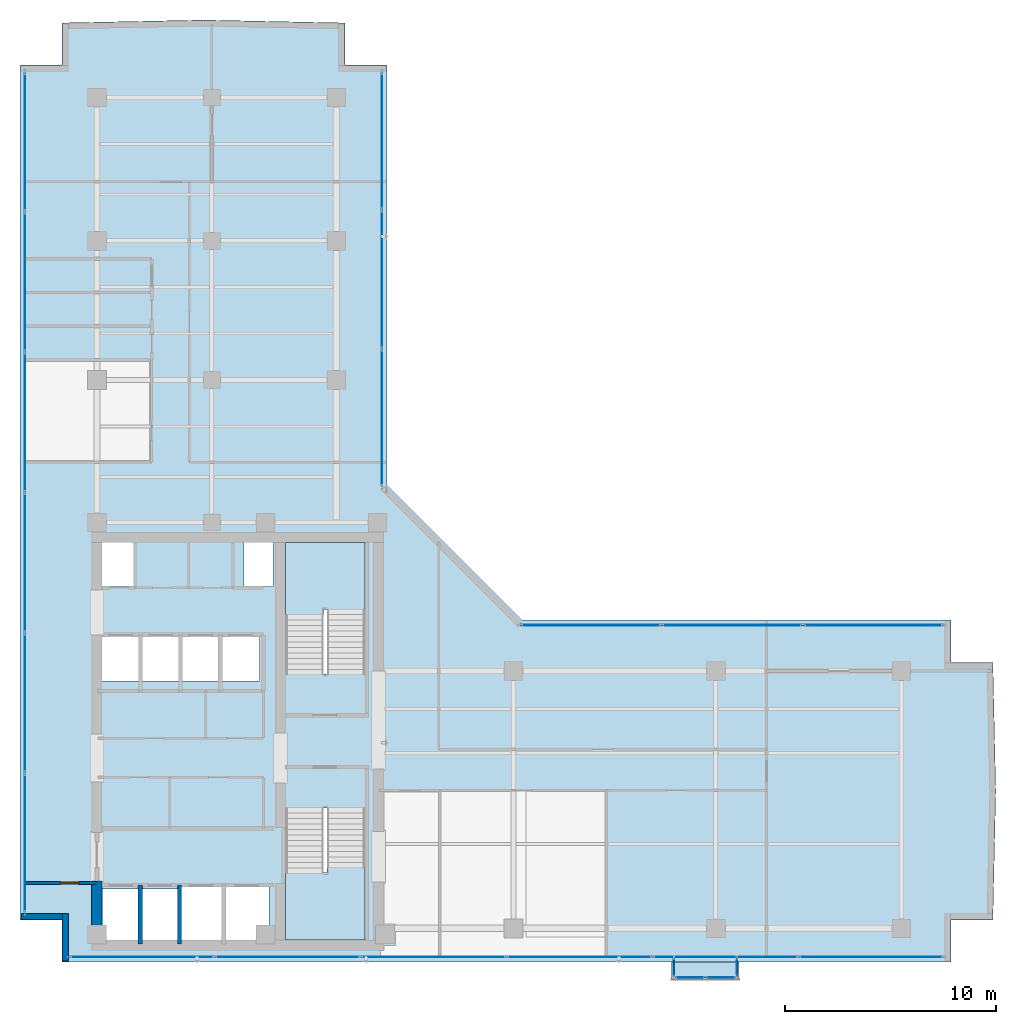
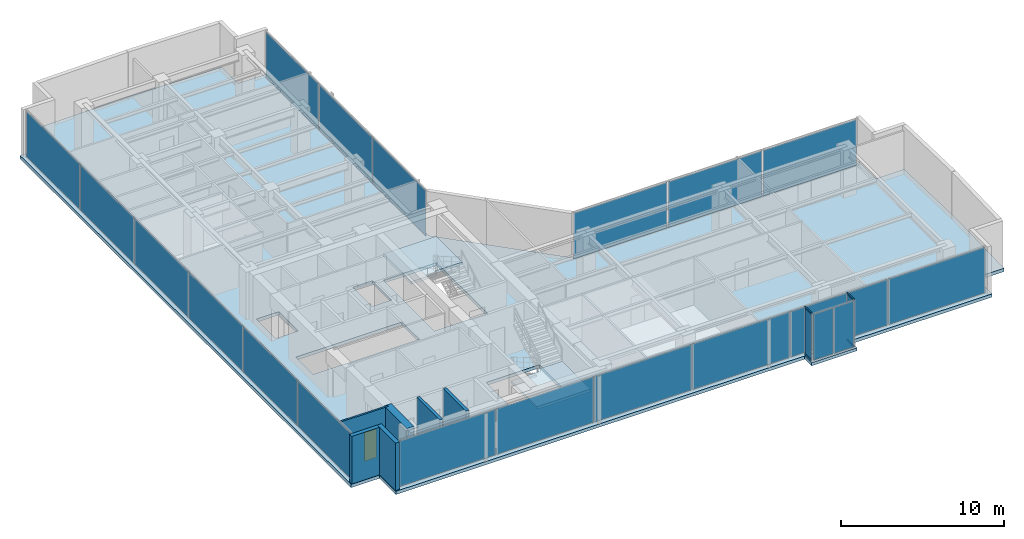
# One storey, part 16 of 24: 22 plates, 6 walls, 4 members, 4 slabs, 1 door, 1 opening, 9 elements without a shape of their own.
"""IFC4 building model written with IfcOpenShell, lengths in metres."""

from ifc_helpers import new_model, si_unit, direction, frame, frame_2d, origin, origin_with_axes, origin_2d, place, context, subcontext, project, spatial, polyline, rectangle, hollow_rectangle, outline, extrude, source, transform, mapped, material, layer, layer_set, material_profile, profile_set, type_object, element, fill, aggregate, save


model = new_model("IFC4")

# Units and contexts
model_context = context("Model", 3, precision=1e-05, world=origin(), true_north=direction((0.0, 1.0)))
body_context = subcontext(model_context, "Body", "Model", "MODEL_VIEW")
ifc_project = project(units=[si_unit("LENGTHUNIT", "METRE"), si_unit("AREAUNIT", "SQUARE_METRE"), si_unit("VOLUMEUNIT", "CUBIC_METRE"), si_unit("PLANEANGLEUNIT", "RADIAN"), si_unit("MASSUNIT", "GRAM", prefix="KILO")], contexts=[model_context])

# Site, building, storey
site_placement = place(None, origin())
site = spatial("IfcSite", under=ifc_project, at=site_placement, CompositionType="ELEMENT")
building_placement = place(site_placement, origin())
building = spatial("IfcBuilding", under=site, at=building_placement, Name="Kolvaren Waterfront Exchange", CompositionType="ELEMENT")
storey_placement = place(building_placement, frame((0.0, 0.0, 331.199951171875)))
storey = spatial("IfcBuildingStorey", under=building, at=storey_placement, Name="L85", CompositionType="ELEMENT", Elevation=331.199951171875)

# Curtain wall, members
ifc_material_1 = material(Name="Anodised bronze aluminium 6063-T6", Category="aluminium")
ifc_layer_1 = layer(ifc_material_1, 0.219970703125, Name="Anodised bronze aluminium 6063-T6")
ifc_layer_set_1 = layer_set([ifc_layer_1], Name="Anodised bronze aluminium 6063-T6")
curtain_wall_type_1 = type_object("IfcCurtainWallType", Name="ARC-CW-SYS3", PredefinedType="USERDEFINED", material=ifc_layer_set_1)
curtain_wall_1_placement = place(storey_placement, origin())
curtain_wall_1 = element("IfcCurtainWall", 1, at=curtain_wall_1_placement, inside=storey, type_object=curtain_wall_type_1, Name="L85 stick curtain wall CW3 (CW-L85-BOX-W)", ObjectType="STICK CURTAIN WALL", PredefinedType="USERDEFINED")
ifc_material_profile = material_profile(ifc_material_1, hollow_rectangle(XDim=0.06494140625, YDim=0.1298828125, WallThickness=0.00390625, at=origin_2d()), Name="ALU-TRN-130x65x4")
ifc_profile_set = profile_set([ifc_material_profile], Name="Anodised bronze aluminium 6063-T6")
member_type = type_object("IfcMemberType", Name="ARC-CWT-130", PredefinedType="USERDEFINED", material=ifc_profile_set)
shared_shape_1 = source(origin_with_axes(), body_context, "Body", "SweptSolid", [
    extrude(hollow_rectangle(XDim=0.06494140625, YDim=0.1298828125, WallThickness=0.00390625, at=origin_2d()), origin(), (0.0, 0.0, 1.0), 0.829833984375),
])
member_1_placement = place(storey_placement, frame((34.81005859375, 3.764892578125, 0.032470703125), z_axis=(0.0, -1.0, 0.0), x_axis=(1.0, 0.0, 0.0)))
member_1 = element("IfcMember", 2, at=member_1_placement, type_object=member_type, Name="CW3 transom 1.1", ObjectType="TRANSOM", PredefinedType="USERDEFINED", context=body_context, shape_type="MappedRepresentation", body=[
    mapped(shared_shape_1, transform((0.0, 0.0, 0.0), x_axis=(1.0, 0.0, 0.0), y_axis=(0.0, 1.0, 0.0), z_axis=(0.0, 0.0, 1.0), scale=1.0)),
])
member_2_placement = place(storey_placement, frame((34.81005859375, 3.764892578125, 3.527587890625), z_axis=(0.0, -1.0, 0.0), x_axis=(1.0, 0.0, 0.0)))
member_2 = element("IfcMember", 3, at=member_2_placement, type_object=member_type, Name="CW3 transom 1.2", ObjectType="TRANSOM", PredefinedType="USERDEFINED", context=body_context, shape_type="MappedRepresentation", body=[
    mapped(shared_shape_1, transform((0.0, 0.0, 0.0), x_axis=(1.0, 0.0, 0.0), y_axis=(0.0, 1.0, 0.0), z_axis=(0.0, 0.0, 1.0), scale=1.0)),
])

curtain_wall_2_placement = place(storey_placement, origin())
curtain_wall_2 = element("IfcCurtainWall", 4, at=curtain_wall_2_placement, inside=storey, type_object=curtain_wall_type_1, Name="L85 stick curtain wall CW3 (CW-L85-BOX-E)", ObjectType="STICK CURTAIN WALL", PredefinedType="USERDEFINED")
member_3_placement = place(storey_placement, frame((37.7900390625, 2.93505859375, 0.032470703125), z_axis=(0.0, 1.0, 0.0), x_axis=(-1.0, 0.0, 0.0)))
member_3 = element("IfcMember", 5, at=member_3_placement, type_object=member_type, Name="CW3 transom 1.1", ObjectType="TRANSOM", PredefinedType="USERDEFINED", context=body_context, shape_type="MappedRepresentation", body=[
    mapped(shared_shape_1, transform((0.0, 0.0, 0.0), x_axis=(1.0, 0.0, 0.0), y_axis=(0.0, 1.0, 0.0), z_axis=(0.0, 0.0, 1.0), scale=1.0)),
])
member_4_placement = place(storey_placement, frame((37.7900390625, 2.93505859375, 3.527587890625), z_axis=(0.0, 1.0, 0.0), x_axis=(-1.0, 0.0, 0.0)))
member_4 = element("IfcMember", 6, at=member_4_placement, type_object=member_type, Name="CW3 transom 1.2", ObjectType="TRANSOM", PredefinedType="USERDEFINED", context=body_context, shape_type="MappedRepresentation", body=[
    mapped(shared_shape_1, transform((0.0, 0.0, 0.0), x_axis=(1.0, 0.0, 0.0), y_axis=(0.0, 1.0, 0.0), z_axis=(0.0, 0.0, 1.0), scale=1.0)),
])

# Stair, slab
ifc_material_2 = material(Name="Concrete C40/50", Category="concrete")
stair_type = type_object("IfcStairType", Name="ARC-STAIR-3800", PredefinedType="HALF_TURN_STAIR", material=ifc_material_2)
stair_1_placement = place(storey_placement, origin())
stair_1 = element("IfcStair", 7, at=stair_1_placement, inside=storey, type_object=stair_type, Name="L85 Smoke-proof exit stair ST1", PredefinedType="HALF_TURN_STAIR")
ifc_layer_2 = layer(ifc_material_2, 0.199951171875, Name="Concrete C40/50")
ifc_layer_set_2 = layer_set([ifc_layer_2], Name="Concrete C40/50")
slab_type_1 = type_object("IfcSlabType", Name="STR-LANDING-200", PredefinedType="LANDING", material=ifc_layer_set_2)
slab_1_placement = place(storey_placement, frame((0.0, 0.0, 1.776123046875)))
slab_1 = element("IfcSlab", 8, at=slab_1_placement, type_object=slab_type_1, Name="ST1 landing 1", PredefinedType="LANDING", context=body_context, shape_type="SweptSolid", body=[
    extrude(outline(polyline([(16.39990234375, 7.840087890625), (16.39990234375, 4.64990234375), (20.159912109375, 4.64990234375), (20.159912109375, 8.10009765625), (18.360107421875, 8.10009765625), (18.360107421875, 7.840087890625), (16.39990234375, 7.840087890625)])), origin(), (0.0, 0.0, 1.0), 0.199951171875),
])
aggregate(stair_1, [slab_1])

stair_2_placement = place(storey_placement, origin())
stair_2 = element("IfcStair", 9, at=stair_2_placement, inside=storey, type_object=stair_type, Name="L85 Smoke-proof exit stair ST2", PredefinedType="HALF_TURN_STAIR")
slab_2_placement = place(storey_placement, frame((0.0, 0.0, 1.776123046875)))
slab_2 = element("IfcSlab", 10, at=slab_2_placement, type_object=slab_type_1, Name="ST2 landing 1", PredefinedType="LANDING", context=body_context, shape_type="SweptSolid", body=[
    extrude(outline(polyline([(20.159912109375, 20.31005859375), (20.159912109375, 23.5), (16.39990234375, 23.5), (16.39990234375, 20.050048828125), (18.199951171875, 20.050048828125), (18.199951171875, 20.31005859375), (20.159912109375, 20.31005859375)])), origin(), (0.0, 0.0, 1.0), 0.199951171875),
])
aggregate(stair_2, [slab_2])

# Slabs
ifc_layer_3 = layer(ifc_material_2, 0.239990234375, Name="Concrete C40/50")
ifc_layer_set_3 = layer_set([ifc_layer_3], Name="Concrete C40/50")
slab_type_2 = type_object("IfcSlabType", Name="STR-SLAB-240", PredefinedType="FLOOR", material=ifc_layer_set_3)
slab_3_placement = place(storey_placement, frame((0.0, 0.0, -0.239990234375)))
element("IfcSlab", 11, at=slab_3_placement, inside=storey, type_object=slab_type_2, Name="L85 structural floor slab", PredefinedType="FLOOR", context=body_context, shape_type="SweptSolid", body=[
    extrude(outline(polyline([(5.800048828125, 3.60009765625), (47.936767578125, 3.60009765625), (47.936767578125, 5.60009765625), (49.936767578125, 5.60009765625), (50.073486328125, 11.705078125), (49.936767578125, 17.810546875), (47.936767578125, 17.810546875), (47.936767578125, 19.810546875), (27.610595703125, 19.810546875), (21.21044921875, 26.21044921875), (21.21044921875, 46.13671875), (19.21044921875, 46.13671875), (19.21044921875, 48.13671875), (12.50537109375, 48.273681640625), (5.800048828125, 48.13671875), (5.800048828125, 46.13671875), (3.800048828125, 46.13671875), (3.800048828125, 5.60009765625), (5.800048828125, 5.60009765625), (5.800048828125, 3.60009765625)]), holes=[polyline([(11.320068359375, 7.260009765625), (15.610107421875, 7.260009765625), (15.610107421875, 4.5400390625), (7.719970703125, 4.5400390625), (7.719970703125, 7.06005859375), (11.320068359375, 7.06005859375), (11.320068359375, 7.260009765625)]), polyline([(20.159912109375, 10.89990234375), (20.159912109375, 4.64990234375), (16.39990234375, 4.64990234375), (16.39990234375, 10.89990234375), (20.159912109375, 10.89990234375)]), polyline([(7.669921875, 19.06005859375), (15.159912109375, 19.06005859375), (15.159912109375, 16.93994140625), (7.669921875, 16.93994140625), (7.669921875, 19.06005859375)]), polyline([(16.39990234375, 17.25), (16.39990234375, 23.5), (20.159912109375, 23.5), (20.159912109375, 17.25), (16.39990234375, 17.25)]), polyline([(7.60009765625, 23.780029296875), (9.179931640625, 23.780029296875), (9.179931640625, 21.419921875), (7.60009765625, 21.419921875), (7.60009765625, 23.780029296875)]), polyline([(14.419921875, 23.780029296875), (15.800048828125, 23.780029296875), (15.800048828125, 21.419921875), (14.419921875, 21.419921875), (14.419921875, 23.780029296875)])]), origin(), (0.0, 0.0, 1.0), 0.239990234375),
])
ifc_layer_4 = layer(ifc_material_2, 0.219970703125, Name="Concrete C40/50")
ifc_layer_set_4 = layer_set([ifc_layer_4], Name="Concrete C40/50")
slab_type_3 = type_object("IfcSlabType", Name="STR-TERR-220", PredefinedType="FLOOR", material=ifc_layer_set_4)
slab_4_placement = place(storey_placement, frame((0.0, 0.0, -0.219970703125)))
element("IfcSlab", 12, at=slab_4_placement, inside=storey, type_object=slab_type_3, Name="L85 projecting bay-box floor strip", PredefinedType="FLOOR", context=body_context, shape_type="SweptSolid", body=[
    extrude(outline(polyline([(34.699951171875, 2.75), (37.89990234375, 2.75), (37.89990234375, 3.60009765625), (34.699951171875, 3.60009765625), (34.699951171875, 2.75)])), origin(), (0.0, 0.0, 1.0), 0.219970703125),
])

# Plate
ifc_material_3 = material(Name="Bronze tinted bay-box vision glass", Category="aluminium")
ifc_layer_5 = layer(ifc_material_3, 0.02392578125, Name="Bronze tinted bay-box vision glass")
ifc_layer_set_5 = layer_set([ifc_layer_5], Name="Bronze tinted bay-box vision glass")
plate_type_1 = type_object("IfcPlateType", Name="ARC-CWP-24", PredefinedType="CURTAIN_PANEL", material=ifc_layer_set_5)
shared_shape_2 = source(origin_with_axes(), body_context, "Body", "SweptSolid", [
    extrude(rectangle(XDim=0.830078125, YDim=0.02392578125, at=origin_2d()), origin(), (0.0, 0.0, 1.0), 3.429931640625),
])
plate_1_placement = place(storey_placement, frame((34.81005859375, 3.35009765625, 0.06494140625), z_axis=(0.0, 0.0, 1.0), x_axis=(0.0, -1.0, 0.0)))
plate_1 = element("IfcPlate", 13, at=plate_1_placement, type_object=plate_type_1, Name="CW3 panel 1.1", PredefinedType="CURTAIN_PANEL", context=body_context, shape_type="MappedRepresentation", body=[
    mapped(shared_shape_2, transform((0.0, 0.0, 0.0), x_axis=(1.0, 0.0, 0.0), y_axis=(0.0, 1.0, 0.0), z_axis=(0.0, 0.0, 1.0), scale=1.0)),
])

aggregate(curtain_wall_1, [member_1, member_2, plate_1])

plate_2_placement = place(storey_placement, frame((37.7900390625, 3.35009765625, 0.06494140625), z_axis=(0.0, 0.0, 1.0), x_axis=(0.0, 1.0, 0.0)))
plate_2 = element("IfcPlate", 14, at=plate_2_placement, type_object=plate_type_1, Name="CW3 panel 1.1", PredefinedType="CURTAIN_PANEL", context=body_context, shape_type="MappedRepresentation", body=[
    mapped(shared_shape_2, transform((0.0, 0.0, 0.0), x_axis=(1.0, 0.0, 0.0), y_axis=(0.0, 1.0, 0.0), z_axis=(0.0, 0.0, 1.0), scale=1.0)),
])

aggregate(curtain_wall_2, [member_3, member_4, plate_2])

# Curtain wall, plates
curtain_wall_3_placement = place(storey_placement, origin())
curtain_wall_3 = element("IfcCurtainWall", 15, at=curtain_wall_3_placement, inside=storey, type_object=curtain_wall_type_1, Name="L85 stick curtain wall CW3 (CW-L85-BOX)", ObjectType="STICK CURTAIN WALL", PredefinedType="USERDEFINED")
shared_shape_3 = source(origin_with_axes(), body_context, "Body", "SweptSolid", [
    extrude(rectangle(XDim=1.37744140625, YDim=0.02392578125, at=origin_2d()), origin(), (0.0, 0.0, 1.0), 3.429931640625),
])
plate_3_placement = place(storey_placement, frame((35.57373046875, 2.860107421875, 0.06494140625), z_axis=(0.0, 0.0, 1.0), x_axis=(1.0, 0.0, 0.0)))
plate_3 = element("IfcPlate", 16, at=plate_3_placement, type_object=plate_type_1, Name="CW3 panel 1.1", PredefinedType="CURTAIN_PANEL", context=body_context, shape_type="MappedRepresentation", body=[
    mapped(shared_shape_3, transform((0.0, 0.0, 0.0), x_axis=(1.0, 0.0, 0.0), y_axis=(0.0, 1.0, 0.0), z_axis=(0.0, 0.0, 1.0), scale=1.0)),
])
plate_4_placement = place(storey_placement, frame((37.0263671875, 2.860107421875, 0.06494140625), z_axis=(0.0, 0.0, 1.0), x_axis=(1.0, 0.0, 0.0)))
plate_4 = element("IfcPlate", 17, at=plate_4_placement, type_object=plate_type_1, Name="CW3 panel 2.1", PredefinedType="CURTAIN_PANEL", context=body_context, shape_type="MappedRepresentation", body=[
    mapped(shared_shape_3, transform((0.0, 0.0, 0.0), x_axis=(1.0, 0.0, 0.0), y_axis=(0.0, 1.0, 0.0), z_axis=(0.0, 0.0, 1.0), scale=1.0)),
])
aggregate(curtain_wall_3, [plate_3, plate_4])

ifc_layer_6 = layer(ifc_material_1, 0.219970703125, Name="Anodised bronze aluminium 6063-T6")
ifc_layer_set_6 = layer_set([ifc_layer_6], Name="Anodised bronze aluminium 6063-T6")
curtain_wall_type_2 = type_object("IfcCurtainWallType", Name="ARC-CW-SYS1", PredefinedType="USERDEFINED", material=ifc_layer_set_6)
curtain_wall_4_placement = place(storey_placement, origin())
curtain_wall_4 = element("IfcCurtainWall", 18, at=curtain_wall_4_placement, inside=storey, type_object=curtain_wall_type_2, Name="L85 stick curtain wall CW1 (CW-L85-S)", ObjectType="STICK CURTAIN WALL", PredefinedType="USERDEFINED")
ifc_material_4 = material(Name="Bronze solar control vision glass", Category="aluminium")
ifc_layer_7 = layer(ifc_material_4, 0.028076171875, Name="Bronze solar control vision glass")
ifc_layer_set_7 = layer_set([ifc_layer_7], Name="Bronze solar control vision glass")
plate_type_2 = type_object("IfcPlateType", Name="ARC-CWP-28", PredefinedType="CURTAIN_PANEL", material=ifc_layer_set_7)
shared_shape_4 = source(origin_with_axes(), body_context, "Body", "SweptSolid", [
    extrude(rectangle(XDim=6.802734375, YDim=0.028076171875, at=origin_2d()), origin(), (0.0, 0.0, 1.0), 3.409912109375),
])
plate_5_placement = place(storey_placement, frame((9.581298828125, 3.840087890625, 0.0751953125), z_axis=(0.0, 0.0, 1.0), x_axis=(1.0, 0.0, 0.0)))
plate_5 = element("IfcPlate", 19, at=plate_5_placement, type_object=plate_type_2, Name="CW1 panel 1.1", PredefinedType="CURTAIN_PANEL", context=body_context, shape_type="MappedRepresentation", body=[
    mapped(shared_shape_4, transform((0.0, 0.0, 0.0), x_axis=(1.0, 0.0, 0.0), y_axis=(0.0, 1.0, 0.0), z_axis=(0.0, 0.0, 1.0), scale=1.0)),
])
plate_6_placement = place(storey_placement, frame((44.155517578125, 3.840087890625, 0.0751953125), z_axis=(0.0, 0.0, 1.0), x_axis=(1.0, 0.0, 0.0)))
plate_6 = element("IfcPlate", 20, at=plate_6_placement, type_object=plate_type_2, Name="CW1 panel 6.1", PredefinedType="CURTAIN_PANEL", context=body_context, shape_type="MappedRepresentation", body=[
    mapped(shared_shape_4, transform((0.0, 0.0, 0.0), x_axis=(1.0, 0.0, 0.0), y_axis=(0.0, 1.0, 0.0), z_axis=(0.0, 0.0, 1.0), scale=1.0)),
])
shared_shape_5 = source(origin_with_axes(), body_context, "Body", "SweptSolid", [
    extrude(rectangle(XDim=6.8427734375, YDim=0.028076171875, at=origin_2d()), origin(), (0.0, 0.0, 1.0), 3.409912109375),
])
plate_7_placement = place(storey_placement, frame((16.484130859375, 3.840087890625, 0.0751953125), z_axis=(0.0, 0.0, 1.0), x_axis=(1.0, 0.0, 0.0)))
plate_7 = element("IfcPlate", 21, at=plate_7_placement, type_object=plate_type_2, Name="CW1 panel 2.1", PredefinedType="CURTAIN_PANEL", context=body_context, shape_type="MappedRepresentation", body=[
    mapped(shared_shape_5, transform((0.0, 0.0, 0.0), x_axis=(1.0, 0.0, 0.0), y_axis=(0.0, 1.0, 0.0), z_axis=(0.0, 0.0, 1.0), scale=1.0)),
])
plate_8_placement = place(storey_placement, frame((23.406982421875, 3.840087890625, 0.0751953125), z_axis=(0.0, 0.0, 1.0), x_axis=(1.0, 0.0, 0.0)))
plate_8 = element("IfcPlate", 22, at=plate_8_placement, type_object=plate_type_2, Name="CW1 panel 3.1", PredefinedType="CURTAIN_PANEL", context=body_context, shape_type="MappedRepresentation", body=[
    mapped(shared_shape_5, transform((0.0, 0.0, 0.0), x_axis=(1.0, 0.0, 0.0), y_axis=(0.0, 1.0, 0.0), z_axis=(0.0, 0.0, 1.0), scale=1.0)),
])
plate_9_placement = place(storey_placement, frame((30.329833984375, 3.840087890625, 0.0751953125), z_axis=(0.0, 0.0, 1.0), x_axis=(1.0, 0.0, 0.0)))
plate_9 = element("IfcPlate", 23, at=plate_9_placement, type_object=plate_type_2, Name="CW1 panel 4.1", PredefinedType="CURTAIN_PANEL", context=body_context, shape_type="MappedRepresentation", body=[
    mapped(shared_shape_5, transform((0.0, 0.0, 0.0), x_axis=(1.0, 0.0, 0.0), y_axis=(0.0, 1.0, 0.0), z_axis=(0.0, 0.0, 1.0), scale=1.0)),
])
plate_10_placement = place(storey_placement, frame((37.252685546875, 3.840087890625, 0.0751953125), z_axis=(0.0, 0.0, 1.0), x_axis=(1.0, 0.0, 0.0)))
plate_10 = element("IfcPlate", 24, at=plate_10_placement, type_object=plate_type_2, Name="CW1 panel 5.1", PredefinedType="CURTAIN_PANEL", context=body_context, shape_type="MappedRepresentation", body=[
    mapped(shared_shape_5, transform((0.0, 0.0, 0.0), x_axis=(1.0, 0.0, 0.0), y_axis=(0.0, 1.0, 0.0), z_axis=(0.0, 0.0, 1.0), scale=1.0)),
])
aggregate(curtain_wall_4, [plate_5, plate_7, plate_8, plate_9, plate_10, plate_6])

ifc_material_5 = material(Name="Anodised aluminium 6063-T6", Category="aluminium")
ifc_layer_8 = layer(ifc_material_5, 0.219970703125, Name="Anodised aluminium 6063-T6")
ifc_layer_set_8 = layer_set([ifc_layer_8], Name="Anodised aluminium 6063-T6")
curtain_wall_type_3 = type_object("IfcCurtainWallType", Name="ARC-CW-SYS2", PredefinedType="USERDEFINED", material=ifc_layer_set_8)
curtain_wall_5_placement = place(storey_placement, origin())
curtain_wall_5 = element("IfcCurtainWall", 25, at=curtain_wall_5_placement, inside=storey, type_object=curtain_wall_type_3, Name="L85 stick curtain wall CW2 (CW-L85-W)", ObjectType="STICK CURTAIN WALL", PredefinedType="USERDEFINED")
ifc_material_6 = material(Name="Acoustic laminated vision glass", Category="glass")
ifc_layer_9 = layer(ifc_material_6, 0.031982421875, Name="Acoustic laminated vision glass")
ifc_layer_set_9 = layer_set([ifc_layer_9], Name="Acoustic laminated vision glass")
plate_type_3 = type_object("IfcPlateType", Name="ARC-CWP-32", PredefinedType="CURTAIN_PANEL", material=ifc_layer_set_9)
shared_shape_6 = source(origin_with_axes(), body_context, "Body", "SweptSolid", [
    extrude(rectangle(XDim=6.5361328125, YDim=0.031982421875, at=origin_2d()), origin(), (0.0, 0.0, 1.0), 3.409912109375),
])
plate_11_placement = place(storey_placement, frame((4.0400390625, 9.248046875, 0.0751953125), z_axis=(0.0, 0.0, 1.0), x_axis=(0.0, 1.0, 0.0)))
plate_11 = element("IfcPlate", 26, at=plate_11_placement, type_object=plate_type_3, Name="CW2 panel 1.1", PredefinedType="CURTAIN_PANEL", context=body_context, shape_type="MappedRepresentation", body=[
    mapped(shared_shape_6, transform((0.0, 0.0, 0.0), x_axis=(1.0, 0.0, 0.0), y_axis=(0.0, 1.0, 0.0), z_axis=(0.0, 0.0, 1.0), scale=1.0)),
])
plate_12_placement = place(storey_placement, frame((4.0400390625, 42.48876953125, 0.0751953125), z_axis=(0.0, 0.0, 1.0), x_axis=(0.0, 1.0, 0.0)))
plate_12 = element("IfcPlate", 27, at=plate_12_placement, type_object=plate_type_3, Name="CW2 panel 6.1", PredefinedType="CURTAIN_PANEL", context=body_context, shape_type="MappedRepresentation", body=[
    mapped(shared_shape_6, transform((0.0, 0.0, 0.0), x_axis=(1.0, 0.0, 0.0), y_axis=(0.0, 1.0, 0.0), z_axis=(0.0, 0.0, 1.0), scale=1.0)),
])
shared_shape_7 = source(origin_with_axes(), body_context, "Body", "SweptSolid", [
    extrude(rectangle(XDim=6.576171875, YDim=0.031982421875, at=origin_2d()), origin(), (0.0, 0.0, 1.0), 3.409912109375),
])
plate_13_placement = place(storey_placement, frame((4.0400390625, 15.88427734375, 0.0751953125), z_axis=(0.0, 0.0, 1.0), x_axis=(0.0, 1.0, 0.0)))
plate_13 = element("IfcPlate", 28, at=plate_13_placement, type_object=plate_type_3, Name="CW2 panel 2.1", PredefinedType="CURTAIN_PANEL", context=body_context, shape_type="MappedRepresentation", body=[
    mapped(shared_shape_7, transform((0.0, 0.0, 0.0), x_axis=(1.0, 0.0, 0.0), y_axis=(0.0, 1.0, 0.0), z_axis=(0.0, 0.0, 1.0), scale=1.0)),
])
plate_14_placement = place(storey_placement, frame((4.0400390625, 22.540283203125, 0.0751953125), z_axis=(0.0, 0.0, 1.0), x_axis=(0.0, 1.0, 0.0)))
plate_14 = element("IfcPlate", 29, at=plate_14_placement, type_object=plate_type_3, Name="CW2 panel 3.1", PredefinedType="CURTAIN_PANEL", context=body_context, shape_type="MappedRepresentation", body=[
    mapped(shared_shape_7, transform((0.0, 0.0, 0.0), x_axis=(1.0, 0.0, 0.0), y_axis=(0.0, 1.0, 0.0), z_axis=(0.0, 0.0, 1.0), scale=1.0)),
])
plate_15_placement = place(storey_placement, frame((4.0400390625, 29.196533203125, 0.0751953125), z_axis=(0.0, 0.0, 1.0), x_axis=(0.0, 1.0, 0.0)))
plate_15 = element("IfcPlate", 30, at=plate_15_placement, type_object=plate_type_3, Name="CW2 panel 4.1", PredefinedType="CURTAIN_PANEL", context=body_context, shape_type="MappedRepresentation", body=[
    mapped(shared_shape_7, transform((0.0, 0.0, 0.0), x_axis=(1.0, 0.0, 0.0), y_axis=(0.0, 1.0, 0.0), z_axis=(0.0, 0.0, 1.0), scale=1.0)),
])
plate_16_placement = place(storey_placement, frame((4.0400390625, 35.8525390625, 0.0751953125), z_axis=(0.0, 0.0, 1.0), x_axis=(0.0, 1.0, 0.0)))
plate_16 = element("IfcPlate", 31, at=plate_16_placement, type_object=plate_type_3, Name="CW2 panel 5.1", PredefinedType="CURTAIN_PANEL", context=body_context, shape_type="MappedRepresentation", body=[
    mapped(shared_shape_7, transform((0.0, 0.0, 0.0), x_axis=(1.0, 0.0, 0.0), y_axis=(0.0, 1.0, 0.0), z_axis=(0.0, 0.0, 1.0), scale=1.0)),
])
aggregate(curtain_wall_5, [plate_11, plate_13, plate_14, plate_15, plate_16, plate_12])

curtain_wall_6_placement = place(storey_placement, origin())
curtain_wall_6 = element("IfcCurtainWall", 32, at=curtain_wall_6_placement, inside=storey, type_object=curtain_wall_type_2, Name="L85 stick curtain wall CW1 (CW-L85-NE)", ObjectType="STICK CURTAIN WALL", PredefinedType="USERDEFINED")
shared_shape_8 = source(origin_with_axes(), body_context, "Body", "SweptSolid", [
    extrude(rectangle(XDim=6.458740234375, YDim=0.028076171875, at=origin_2d()), origin(), (0.0, 0.0, 1.0), 3.409912109375),
])
plate_17_placement = place(storey_placement, frame((20.970458984375, 29.409912109375, 0.0751953125), z_axis=(0.0, 0.0, 1.0), x_axis=(0.0, 1.0, 0.0)))
plate_17 = element("IfcPlate", 33, at=plate_17_placement, type_object=plate_type_2, Name="CW1 panel 1.1", PredefinedType="CURTAIN_PANEL", context=body_context, shape_type="MappedRepresentation", body=[
    mapped(shared_shape_8, transform((0.0, 0.0, 0.0), x_axis=(1.0, 0.0, 0.0), y_axis=(0.0, 1.0, 0.0), z_axis=(0.0, 0.0, 1.0), scale=1.0)),
])
plate_18_placement = place(storey_placement, frame((20.970458984375, 42.52734375, 0.0751953125), z_axis=(0.0, 0.0, 1.0), x_axis=(0.0, 1.0, 0.0)))
plate_18 = element("IfcPlate", 34, at=plate_18_placement, type_object=plate_type_2, Name="CW1 panel 3.1", PredefinedType="CURTAIN_PANEL", context=body_context, shape_type="MappedRepresentation", body=[
    mapped(shared_shape_8, transform((0.0, 0.0, 0.0), x_axis=(1.0, 0.0, 0.0), y_axis=(0.0, 1.0, 0.0), z_axis=(0.0, 0.0, 1.0), scale=1.0)),
])
shared_shape_9 = source(origin_with_axes(), body_context, "Body", "SweptSolid", [
    extrude(rectangle(XDim=6.498779296875, YDim=0.028076171875, at=origin_2d()), origin(), (0.0, 0.0, 1.0), 3.409912109375),
])
plate_19_placement = place(storey_placement, frame((20.970458984375, 35.96875, 0.0751953125), z_axis=(0.0, 0.0, 1.0), x_axis=(0.0, 1.0, 0.0)))
plate_19 = element("IfcPlate", 35, at=plate_19_placement, type_object=plate_type_2, Name="CW1 panel 2.1", PredefinedType="CURTAIN_PANEL", context=body_context, shape_type="MappedRepresentation", body=[
    mapped(shared_shape_9, transform((0.0, 0.0, 0.0), x_axis=(1.0, 0.0, 0.0), y_axis=(0.0, 1.0, 0.0), z_axis=(0.0, 0.0, 1.0), scale=1.0)),
])
aggregate(curtain_wall_6, [plate_17, plate_19, plate_18])

curtain_wall_7_placement = place(storey_placement, origin())
curtain_wall_7 = element("IfcCurtainWall", 36, at=curtain_wall_7_placement, inside=storey, type_object=curtain_wall_type_2, Name="L85 stick curtain wall CW1 (CW-L85-EN)", ObjectType="STICK CURTAIN WALL", PredefinedType="USERDEFINED")
shared_shape_10 = source(origin_with_axes(), body_context, "Body", "SweptSolid", [
    extrude(rectangle(XDim=6.592041015625, YDim=0.028076171875, at=origin_2d()), origin(), (0.0, 0.0, 1.0), 3.409912109375),
])
plate_20_placement = place(storey_placement, frame((30.87646484375, 19.570556640625, 0.0751953125), z_axis=(0.0, 0.0, 1.0), x_axis=(1.0, 0.0, 0.0)))
plate_20 = element("IfcPlate", 37, at=plate_20_placement, type_object=plate_type_2, Name="CW1 panel 1.1", PredefinedType="CURTAIN_PANEL", context=body_context, shape_type="MappedRepresentation", body=[
    mapped(shared_shape_10, transform((0.0, 0.0, 0.0), x_axis=(1.0, 0.0, 0.0), y_axis=(0.0, 1.0, 0.0), z_axis=(0.0, 0.0, 1.0), scale=1.0)),
])
plate_21_placement = place(storey_placement, frame((44.2607421875, 19.570556640625, 0.0751953125), z_axis=(0.0, 0.0, 1.0), x_axis=(1.0, 0.0, 0.0)))
plate_21 = element("IfcPlate", 38, at=plate_21_placement, type_object=plate_type_2, Name="CW1 panel 3.1", PredefinedType="CURTAIN_PANEL", context=body_context, shape_type="MappedRepresentation", body=[
    mapped(shared_shape_10, transform((0.0, 0.0, 0.0), x_axis=(1.0, 0.0, 0.0), y_axis=(0.0, 1.0, 0.0), z_axis=(0.0, 0.0, 1.0), scale=1.0)),
])
shared_shape_11 = source(origin_with_axes(), body_context, "Body", "SweptSolid", [
    extrude(rectangle(XDim=6.632080078125, YDim=0.028076171875, at=origin_2d()), origin(), (0.0, 0.0, 1.0), 3.409912109375),
])
plate_22_placement = place(storey_placement, frame((37.568603515625, 19.570556640625, 0.0751953125), z_axis=(0.0, 0.0, 1.0), x_axis=(1.0, 0.0, 0.0)))
plate_22 = element("IfcPlate", 39, at=plate_22_placement, type_object=plate_type_2, Name="CW1 panel 2.1", PredefinedType="CURTAIN_PANEL", context=body_context, shape_type="MappedRepresentation", body=[
    mapped(shared_shape_11, transform((0.0, 0.0, 0.0), x_axis=(1.0, 0.0, 0.0), y_axis=(0.0, 1.0, 0.0), z_axis=(0.0, 0.0, 1.0), scale=1.0)),
])
aggregate(curtain_wall_7, [plate_20, plate_22, plate_21])

# Walls
ifc_material_7 = material(Name="Precast concrete C40/50", Category="concrete")
ifc_layer_10 = layer(ifc_material_7, 0.280029296875, Name="Precast concrete C40/50")
ifc_layer_set_10 = layer_set([ifc_layer_10], Name="Precast concrete C40/50")
wall_type_1 = type_object("IfcWallType", Name="ARC-EXT-TERR-280", PredefinedType="SOLIDWALL", material=ifc_layer_set_10)
wall_1_placement = place(storey_placement, frame((5.9599609375, 3.659912109375, 0.0), z_axis=(0.0, 0.0, 1.0), x_axis=(0.0, 1.0, 0.0)))
element("IfcWall", 40, at=wall_1_placement, inside=storey, type_object=wall_type_1, Name="L85 notched corner spandrel pier SW-A", PredefinedType="SOLIDWALL", context=body_context, shape_type="SweptSolid", body=[
    extrude(rectangle(XDim=2.239990234375, YDim=0.280029296875, at=frame_2d((1.1201171875, 0.0))), origin(), (0.0, 0.0, 1.0), 3.56005859375),
])
wall_2_placement = place(storey_placement, frame((3.860107421875, 5.760009765625, 0.0), z_axis=(0.0, 0.0, 1.0), x_axis=(1.0, 0.0, 0.0)))
element("IfcWall", 41, at=wall_2_placement, inside=storey, type_object=wall_type_1, Name="L85 notched corner spandrel pier SW-B", PredefinedType="SOLIDWALL", context=body_context, shape_type="SweptSolid", body=[
    extrude(rectangle(XDim=1.9599609375, YDim=0.280029296875, at=frame_2d((0.97998046875, 0.0))), origin(), (0.0, 0.0, 1.0), 3.56005859375),
])

# Wall, opening, door
ifc_material_8 = material(Name="Acoustic gypsum steel stud", Category="steel")
ifc_layer_11 = layer(ifc_material_8, 0.125, Name="Acoustic gypsum steel stud")
ifc_layer_set_11 = layer_set([ifc_layer_11], Name="Acoustic gypsum steel stud")
wall_type_2 = type_object("IfcWallType", Name="ARC-PART-125", PredefinedType="PARTITIONING", material=ifc_layer_set_11)
wall_3_placement = place(storey_placement, frame((4.0400390625, 7.35009765625, 0.0), z_axis=(0.0, 0.0, 1.0), x_axis=(1.0, 0.0, 0.0)))
wall_3 = element("IfcWall", 42, at=wall_3_placement, inside=storey, type_object=wall_type_2, Name="L85 interior wall PW-L85-SWC-N", PredefinedType="PARTITIONING", context=body_context, shape_type="SweptSolid", body=[
    extrude(rectangle(XDim=3.35986328125, YDim=0.125, at=frame_2d((1.679931640625, 0.0))), origin(), (0.0, 0.0, 1.0), 3.56005859375),
])
opening_placement = place(wall_3_placement, frame((1.686767578125, 0.0, 0.0)))
opening = element("IfcOpeningElement", 43, at=opening_placement, cuts=wall_3, Name="Opening D01", PredefinedType="OPENING", context=body_context, shape_type="SweptSolid", body=[
    extrude(rectangle(XDim=0.85009765625, YDim=2.14990234375, at=frame_2d((0.425048828125, 1.074951171875))), frame((0.0, 0.072509765625, 0.0), z_axis=(0.0, -1.0, 0.0), x_axis=(1.0, 0.0, 0.0)), (0.0, 0.0, 1.0), 0.14501953125),
])
ifc_material_9 = material(Name="Oak veneer timber leaf", Category="wood")
door_type = type_object("IfcDoorType", Name="ARC-DR-900", OperationType="NOTDEFINED", PredefinedType="DOOR", material=ifc_material_9)
door_placement = place(opening_placement, origin())
door = element("IfcDoor", 44, at=door_placement, inside=storey, type_object=door_type, Name="L85 door DR-L85-SWC-D (D01)", OperationType="SINGLE_SWING_RIGHT", OverallHeight=2.14990234375, OverallWidth=0.85009765625, PredefinedType="DOOR", context=body_context, shape_type="SweptSolid", body=[
    extrude(rectangle(XDim=0.85009765625, YDim=2.14990234375, at=frame_2d((0.425048828125, 1.074951171875))), frame((0.0, 0.02490234375, 0.0), z_axis=(0.0, -1.0, 0.0), x_axis=(1.0, 0.0, 0.0)), (0.0, 0.0, 1.0), 0.050048828125),
])
fill(opening, door)

# Walls
ifc_layer_12 = layer(ifc_material_2, 0.199951171875, Name="Concrete C40/50")
ifc_layer_set_12 = layer_set([ifc_layer_12], Name="Concrete C40/50")
wall_type_3 = type_object("IfcWallType", Name="ARC-SHAFT-200", PredefinedType="PARTITIONING", material=ifc_layer_set_12)
for number, where, z_axis, x_axis, name in (
    (45, (9.5, 4.449951171875, 0.0), (0.0, 0.0, 1.0), (0.0, 1.0, 0.0), "L85 interior wall PW-L85-SH1-DIV-95"),
    (46, (11.360107421875, 4.449951171875, 0.0), (0.0, 0.0, 1.0), (0.0, 1.0, 0.0), "L85 interior wall PW-L85-SH1-DIV-113"),
):
    element("IfcWall", number, at=place(storey_placement, frame(where, z_axis=z_axis, x_axis=x_axis)), inside=storey, type_object=wall_type_3, Name=name, PredefinedType="PARTITIONING", context=body_context, shape_type="SweptSolid", body=[
        extrude(rectangle(XDim=2.800048828125, YDim=0.199951171875, at=frame_2d((1.39990234375, 0.0))), origin(), (0.0, 0.0, 1.0), 3.56005859375),
    ])
ifc_material_10 = material(Name="Concrete C50/60", Category="concrete")
ifc_layer_13 = layer(ifc_material_10, 0.5, Name="Concrete C50/60")
ifc_layer_set_13 = layer_set([ifc_layer_13], Name="Concrete C50/60")
wall_type_4 = type_object("IfcWallType", Name="STR-CWALL-500", PredefinedType="SHEAR", material=ifc_layer_set_13)
wall_4_placement = place(storey_placement, frame((7.449951171875, 4.64990234375, 0.0), z_axis=(0.0, 0.0, 1.0), x_axis=(0.0, 1.0, 0.0)))
element("IfcWall", 47, at=wall_4_placement, inside=storey, type_object=wall_type_4, Name="L85 rear-core shear wall W1", PredefinedType="SHEAR", context=body_context, shape_type="SweptSolid", body=[
    extrude(rectangle(XDim=2.800048828125, YDim=0.5, at=frame_2d((1.39990234375, 0.0))), origin(), (0.0, 0.0, 1.0), 3.56005859375),
])

save(model, "model.ifc")
